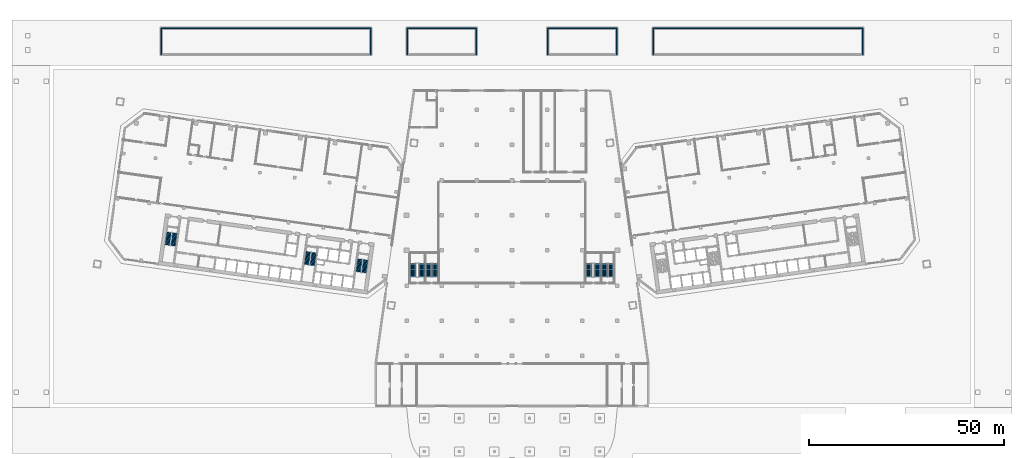
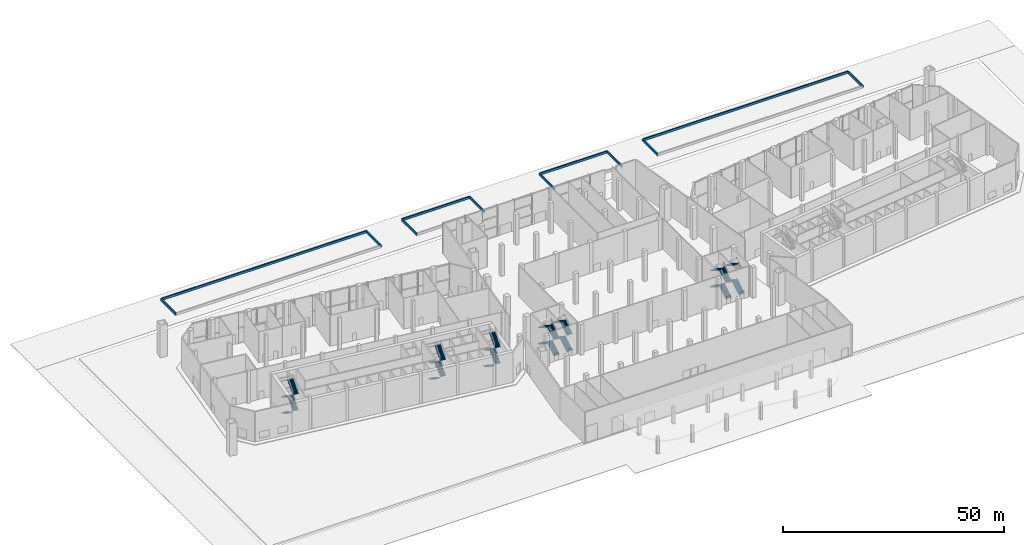
# One storey, part 29 of 34: 27 stair flights, 12 walls, 7 elements without a shape of their own.
"""IFC4 building model written with IfcOpenShell, lengths in metres."""

from ifc_helpers import new_model, si_unit, direction, frame, frame_2d, origin, place, context, subcontext, project, spatial, polyline, rectangle, outline, extrude, material, layer, layer_set, type_object, element, aggregate, save


model = new_model("IFC4")

# Units and contexts
model_context = context("Model", 3, precision=1e-05, world=origin(), true_north=direction((0.0, 1.0)))
body_context = subcontext(model_context, "Body", "Model", "MODEL_VIEW")
ifc_project = project(units=[si_unit("LENGTHUNIT", "METRE"), si_unit("AREAUNIT", "SQUARE_METRE"), si_unit("VOLUMEUNIT", "CUBIC_METRE"), si_unit("PLANEANGLEUNIT", "RADIAN"), si_unit("MASSUNIT", "GRAM", prefix="KILO")], contexts=[model_context])

# Site, building, storey
site_placement = place(None, origin())
site = spatial("IfcSite", under=ifc_project, at=site_placement, CompositionType="ELEMENT")
building_placement = place(site_placement, origin())
building = spatial("IfcBuilding", under=site, at=building_placement, Name="Mirante Cascada Hotel Towers", CompositionType="ELEMENT")
storey_placement = place(building_placement, origin())
storey = spatial("IfcBuildingStorey", under=building, at=storey_placement, Name="L00", CompositionType="ELEMENT", Elevation=0.0)

# Walls
ifc_material_1 = material(Name="Concrete C25/30", Category="concrete")
ifc_layer = layer(ifc_material_1, 0.3)
ifc_layer_set = layer_set([ifc_layer], Name="Planter kerb wall 300 concrete C25/30")
wall_type = type_object("IfcWallType", Name="Planter kerb wall 300 concrete C25/30", PredefinedType="PARAPET", material=ifc_layer_set)
wall_1_placement = place(storey_placement, frame((-36.15, 41.15, 0.0), z_axis=(0.0, 0.0, 1.0), x_axis=(0.0, 1.0, 0.0)))
element("IfcWall", 1, at=wall_1_placement, inside=storey, type_object=wall_type, Name="PLANTER garden court bed 1", PredefinedType="PARAPET", context=body_context, shape_type="SweptSolid", body=[
    extrude(rectangle(XDim=6.7, YDim=0.3, at=frame_2d((3.35, 0.0))), origin(), (0.0, 0.0, 1.0), 0.6),
])
wall_2_placement = place(storey_placement, frame((-36.15, 47.85, 0.0), z_axis=(0.0, 0.0, 1.0), x_axis=(-1.0, 0.0, 0.0)))
element("IfcWall", 2, at=wall_2_placement, inside=storey, type_object=wall_type, Name="PLANTER garden court bed 1", PredefinedType="PARAPET", context=body_context, shape_type="SweptSolid", body=[
    extrude(rectangle(XDim=53.7, YDim=0.3, at=frame_2d((26.85, 0.0))), origin(), (0.0, 0.0, 1.0), 0.6),
])
for number, where, z_axis, x_axis, name in (
    (3, (-89.85, 47.85, 0.0), (0.0, 0.0, 1.0), (0.0, -1.0, 0.0), "PLANTER garden court bed 1"),
    (4, (-9.15, 41.15, 0.0), (0.0, 0.0, 1.0), (0.0, 1.0, 0.0), "PLANTER garden court bed 2"),
):
    element("IfcWall", number, at=place(storey_placement, frame(where, z_axis=z_axis, x_axis=x_axis)), inside=storey, type_object=wall_type, Name=name, PredefinedType="PARAPET", context=body_context, shape_type="SweptSolid", body=[
        extrude(rectangle(XDim=6.7, YDim=0.3, at=frame_2d((3.35, 0.0))), origin(), (0.0, 0.0, 1.0), 0.6),
    ])
wall_3_placement = place(storey_placement, frame((-9.15, 47.85, 0.0), z_axis=(0.0, 0.0, 1.0), x_axis=(-1.0, 0.0, 0.0)))
element("IfcWall", 5, at=wall_3_placement, inside=storey, type_object=wall_type, Name="PLANTER garden court bed 2", PredefinedType="PARAPET", context=body_context, shape_type="SweptSolid", body=[
    extrude(rectangle(XDim=17.7, YDim=0.3, at=frame_2d((8.85, 0.0))), origin(), (0.0, 0.0, 1.0), 0.6),
])
for number, where, z_axis, x_axis, name in (
    (6, (-26.85, 47.85, 0.0), (0.0, 0.0, 1.0), (0.0, -1.0, 0.0), "PLANTER garden court bed 2"),
    (7, (26.85, 41.15, 0.0), (0.0, 0.0, 1.0), (0.0, 1.0, 0.0), "PLANTER garden court bed 3"),
):
    element("IfcWall", number, at=place(storey_placement, frame(where, z_axis=z_axis, x_axis=x_axis)), inside=storey, type_object=wall_type, Name=name, PredefinedType="PARAPET", context=body_context, shape_type="SweptSolid", body=[
        extrude(rectangle(XDim=6.7, YDim=0.3, at=frame_2d((3.35, 0.0))), origin(), (0.0, 0.0, 1.0), 0.6),
    ])
wall_4_placement = place(storey_placement, frame((26.85, 47.85, 0.0), z_axis=(0.0, 0.0, 1.0), x_axis=(-1.0, 0.0, 0.0)))
element("IfcWall", 8, at=wall_4_placement, inside=storey, type_object=wall_type, Name="PLANTER garden court bed 3", PredefinedType="PARAPET", context=body_context, shape_type="SweptSolid", body=[
    extrude(rectangle(XDim=17.7, YDim=0.3, at=frame_2d((8.85, 0.0))), origin(), (0.0, 0.0, 1.0), 0.6),
])
for number, where, z_axis, x_axis, name in (
    (9, (9.15, 47.85, 0.0), (0.0, 0.0, 1.0), (0.0, -1.0, 0.0), "PLANTER garden court bed 3"),
    (10, (89.85, 41.15, 0.0), (0.0, 0.0, 1.0), (0.0, 1.0, 0.0), "PLANTER garden court bed 4"),
):
    element("IfcWall", number, at=place(storey_placement, frame(where, z_axis=z_axis, x_axis=x_axis)), inside=storey, type_object=wall_type, Name=name, PredefinedType="PARAPET", context=body_context, shape_type="SweptSolid", body=[
        extrude(rectangle(XDim=6.7, YDim=0.3, at=frame_2d((3.35, 0.0))), origin(), (0.0, 0.0, 1.0), 0.6),
    ])
wall_5_placement = place(storey_placement, frame((89.85, 47.85, 0.0), z_axis=(0.0, 0.0, 1.0), x_axis=(-1.0, 0.0, 0.0)))
element("IfcWall", 11, at=wall_5_placement, inside=storey, type_object=wall_type, Name="PLANTER garden court bed 4", PredefinedType="PARAPET", context=body_context, shape_type="SweptSolid", body=[
    extrude(rectangle(XDim=53.7, YDim=0.3, at=frame_2d((26.85, 0.0))), origin(), (0.0, 0.0, 1.0), 0.6),
])
wall_6_placement = place(storey_placement, frame((36.15, 47.85, 0.0), z_axis=(0.0, 0.0, 1.0), x_axis=(0.0, -1.0, 0.0)))
element("IfcWall", 12, at=wall_6_placement, inside=storey, type_object=wall_type, Name="PLANTER garden court bed 4", PredefinedType="PARAPET", context=body_context, shape_type="SweptSolid", body=[
    extrude(rectangle(XDim=6.7, YDim=0.3, at=frame_2d((3.35, 0.0))), origin(), (0.0, 0.0, 1.0), 0.6),
])

# Stair, stair flights
ifc_material_2 = material(Name="Concrete C35/45", Category="concrete")
stair_type_1 = type_object("IfcStairType", Name="Exit stair half-turn 1350 concrete C35/45", PredefinedType="HALF_TURN_STAIR", material=ifc_material_2)
stair_1_placement = place(storey_placement, origin())
stair_1 = element("IfcStair", 13, at=stair_1_placement, inside=storey, type_object=stair_type_1, Name="L00 Exit stair A", PredefinedType="HALF_TURN_STAIR")
ifc_material_3 = material(Name="Concrete C35/45", Category="concrete")
stair_flight_type_1 = type_object("IfcStairFlightType", Name="Exit stair flight 1350 concrete C35/45", PredefinedType="STRAIGHT", material=ifc_material_3)
stair_flight_1_placement = place(storey_placement, frame((-38.9417, -11.195, 0.0), z_axis=(0.0, 0.0, 1.0), x_axis=(-0.1391731, -0.9902681, 0.0)))
stair_flight_1 = element("IfcStairFlight", 14, at=stair_flight_1_placement, type_object=stair_flight_type_1, Name="ST1-A flight 1", NumberOfRisers=13, NumberOfTreads=12, PredefinedType="STRAIGHT", RiserHeight=0.173076923, TreadLength=0.28, context=body_context, shape_type="SweptSolid", body=[
    extrude(outline(polyline([(0.0, 0.0), (0.0, 0.1731), (0.28, 0.1731), (0.28, 0.3462), (0.56, 0.3462), (0.56, 0.5192), (0.84, 0.5192), (0.84, 0.6923), (1.12, 0.6923), (1.12, 0.8654), (1.4, 0.8654), (1.4, 1.0385), (1.68, 1.0385), (1.68, 1.2115), (1.96, 1.2115), (1.96, 1.3846), (2.24, 1.3846), (2.24, 1.5577), (2.52, 1.5577), (2.52, 1.7308), (2.8, 1.7308), (2.8, 1.9038), (3.08, 1.9038), (3.08, 2.0769), (3.36, 2.0769), (3.36, 2.25), (3.36, 1.9006), (0.2853, 0.0), (0.0, 0.0)])), frame((0.0, 0.675, 0.0), z_axis=(0.0, -1.0, 0.0), x_axis=(1.0, 0.0, 0.0)), (0.0, 0.0, 1.0), 1.35),
])
stair_flight_2_placement = place(storey_placement, frame((-37.9239, -14.7311, 2.25), z_axis=(0.0, 0.0, 1.0), x_axis=(0.1391731, 0.9902681, 0.0)))
stair_flight_2 = element("IfcStairFlight", 15, at=stair_flight_2_placement, type_object=stair_flight_type_1, Name="ST1-A flight 2", NumberOfRisers=13, NumberOfTreads=12, PredefinedType="STRAIGHT", RiserHeight=0.173076923, TreadLength=0.28, context=body_context, shape_type="SweptSolid", body=[
    extrude(outline(polyline([(0.0, 0.0), (0.0, 0.1731), (0.28, 0.1731), (0.28, 0.3462), (0.56, 0.3462), (0.56, 0.5192), (0.84, 0.5192), (0.84, 0.6923), (1.12, 0.6923), (1.12, 0.8654), (1.4, 0.8654), (1.4, 1.0385), (1.68, 1.0385), (1.68, 1.2115), (1.96, 1.2115), (1.96, 1.3846), (2.24, 1.3846), (2.24, 1.5577), (2.52, 1.5577), (2.52, 1.7308), (2.8, 1.7308), (2.8, 1.9038), (3.08, 1.9038), (3.08, 2.0769), (3.36, 2.0769), (3.36, 2.25), (3.36, 1.9006), (0.2853, 0.0), (0.0, 0.0)])), frame((0.0, 0.675, 0.0), z_axis=(0.0, -1.0, 0.0), x_axis=(1.0, 0.0, 0.0)), (0.0, 0.0, 1.0), 1.35),
])
stair_flight_3_placement = place(storey_placement, frame((-38.9417, -11.195, 4.5), z_axis=(0.0, 0.0, 1.0), x_axis=(-0.1391731, -0.9902681, 0.0)))
stair_flight_3 = element("IfcStairFlight", 16, at=stair_flight_3_placement, type_object=stair_flight_type_1, Name="ST1-A flight 3", NumberOfRisers=13, NumberOfTreads=12, PredefinedType="STRAIGHT", RiserHeight=0.173076923, TreadLength=0.28, context=body_context, shape_type="SweptSolid", body=[
    extrude(outline(polyline([(0.0, 0.0), (0.0, 0.1731), (0.28, 0.1731), (0.28, 0.3462), (0.56, 0.3462), (0.56, 0.5192), (0.84, 0.5192), (0.84, 0.6923), (1.12, 0.6923), (1.12, 0.8654), (1.4, 0.8654), (1.4, 1.0385), (1.68, 1.0385), (1.68, 1.2115), (1.96, 1.2115), (1.96, 1.3846), (2.24, 1.3846), (2.24, 1.5577), (2.52, 1.5577), (2.52, 1.7308), (2.8, 1.7308), (2.8, 1.9038), (3.08, 1.9038), (3.08, 2.0769), (3.36, 2.0769), (3.36, 2.25), (3.36, 1.9006), (0.2853, 0.0), (0.0, 0.0)])), frame((0.0, 0.675, 0.0), z_axis=(0.0, -1.0, 0.0), x_axis=(1.0, 0.0, 0.0)), (0.0, 0.0, 1.0), 1.35),
])
stair_flight_4_placement = place(storey_placement, frame((-37.9239, -14.7311, 6.75), z_axis=(0.0, 0.0, 1.0), x_axis=(0.1391731, 0.9902681, 0.0)))
stair_flight_4 = element("IfcStairFlight", 17, at=stair_flight_4_placement, type_object=stair_flight_type_1, Name="ST1-A flight 4", NumberOfRisers=13, NumberOfTreads=12, PredefinedType="STRAIGHT", RiserHeight=0.173076923, TreadLength=0.28, context=body_context, shape_type="SweptSolid", body=[
    extrude(outline(polyline([(0.0, 0.0), (0.0, 0.1731), (0.28, 0.1731), (0.28, 0.3462), (0.56, 0.3462), (0.56, 0.5192), (0.84, 0.5192), (0.84, 0.6923), (1.12, 0.6923), (1.12, 0.8654), (1.4, 0.8654), (1.4, 1.0385), (1.68, 1.0385), (1.68, 1.2115), (1.96, 1.2115), (1.96, 1.3846), (2.24, 1.3846), (2.24, 1.5577), (2.52, 1.5577), (2.52, 1.7308), (2.8, 1.7308), (2.8, 1.9038), (3.08, 1.9038), (3.08, 2.0769), (3.36, 2.0769), (3.36, 2.25), (3.36, 1.9006), (0.2853, 0.0), (0.0, 0.0)])), frame((0.0, 0.675, 0.0), z_axis=(0.0, -1.0, 0.0), x_axis=(1.0, 0.0, 0.0)), (0.0, 0.0, 1.0), 1.35),
])
aggregate(stair_1, [stair_flight_1, stair_flight_2, stair_flight_3, stair_flight_4])

stair_2_placement = place(storey_placement, origin())
stair_2 = element("IfcStair", 18, at=stair_2_placement, inside=storey, type_object=stair_type_1, Name="L00 Exit stair B", PredefinedType="HALF_TURN_STAIR")
stair_flight_5_placement = place(storey_placement, frame((-52.1618, -9.3371, 0.0), z_axis=(0.0, 0.0, 1.0), x_axis=(-0.1391731, -0.9902681, 0.0)))
stair_flight_5 = element("IfcStairFlight", 19, at=stair_flight_5_placement, type_object=stair_flight_type_1, Name="ST1-B flight 1", NumberOfRisers=13, NumberOfTreads=12, PredefinedType="STRAIGHT", RiserHeight=0.173076923, TreadLength=0.28, context=body_context, shape_type="SweptSolid", body=[
    extrude(outline(polyline([(0.0, 0.0), (0.0, 0.1731), (0.28, 0.1731), (0.28, 0.3462), (0.56, 0.3462), (0.56, 0.5192), (0.84, 0.5192), (0.84, 0.6923), (1.12, 0.6923), (1.12, 0.8654), (1.4, 0.8654), (1.4, 1.0385), (1.68, 1.0385), (1.68, 1.2115), (1.96, 1.2115), (1.96, 1.3846), (2.24, 1.3846), (2.24, 1.5577), (2.52, 1.5577), (2.52, 1.7308), (2.8, 1.7308), (2.8, 1.9038), (3.08, 1.9038), (3.08, 2.0769), (3.36, 2.0769), (3.36, 2.25), (3.36, 1.9006), (0.2853, 0.0), (0.0, 0.0)])), frame((0.0, 0.675, 0.0), z_axis=(0.0, -1.0, 0.0), x_axis=(1.0, 0.0, 0.0)), (0.0, 0.0, 1.0), 1.35),
])
stair_flight_6_placement = place(storey_placement, frame((-51.144, -12.8731, 2.25), z_axis=(0.0, 0.0, 1.0), x_axis=(0.1391731, 0.9902681, 0.0)))
stair_flight_6 = element("IfcStairFlight", 20, at=stair_flight_6_placement, type_object=stair_flight_type_1, Name="ST1-B flight 2", NumberOfRisers=13, NumberOfTreads=12, PredefinedType="STRAIGHT", RiserHeight=0.173076923, TreadLength=0.28, context=body_context, shape_type="SweptSolid", body=[
    extrude(outline(polyline([(0.0, 0.0), (0.0, 0.1731), (0.28, 0.1731), (0.28, 0.3462), (0.56, 0.3462), (0.56, 0.5192), (0.84, 0.5192), (0.84, 0.6923), (1.12, 0.6923), (1.12, 0.8654), (1.4, 0.8654), (1.4, 1.0385), (1.68, 1.0385), (1.68, 1.2115), (1.96, 1.2115), (1.96, 1.3846), (2.24, 1.3846), (2.24, 1.5577), (2.52, 1.5577), (2.52, 1.7308), (2.8, 1.7308), (2.8, 1.9038), (3.08, 1.9038), (3.08, 2.0769), (3.36, 2.0769), (3.36, 2.25), (3.36, 1.9006), (0.2853, 0.0), (0.0, 0.0)])), frame((0.0, 0.675, 0.0), z_axis=(0.0, -1.0, 0.0), x_axis=(1.0, 0.0, 0.0)), (0.0, 0.0, 1.0), 1.35),
])
stair_flight_7_placement = place(storey_placement, frame((-52.1618, -9.3371, 4.5), z_axis=(0.0, 0.0, 1.0), x_axis=(-0.1391731, -0.9902681, 0.0)))
stair_flight_7 = element("IfcStairFlight", 21, at=stair_flight_7_placement, type_object=stair_flight_type_1, Name="ST1-B flight 3", NumberOfRisers=13, NumberOfTreads=12, PredefinedType="STRAIGHT", RiserHeight=0.173076923, TreadLength=0.28, context=body_context, shape_type="SweptSolid", body=[
    extrude(outline(polyline([(0.0, 0.0), (0.0, 0.1731), (0.28, 0.1731), (0.28, 0.3462), (0.56, 0.3462), (0.56, 0.5192), (0.84, 0.5192), (0.84, 0.6923), (1.12, 0.6923), (1.12, 0.8654), (1.4, 0.8654), (1.4, 1.0385), (1.68, 1.0385), (1.68, 1.2115), (1.96, 1.2115), (1.96, 1.3846), (2.24, 1.3846), (2.24, 1.5577), (2.52, 1.5577), (2.52, 1.7308), (2.8, 1.7308), (2.8, 1.9038), (3.08, 1.9038), (3.08, 2.0769), (3.36, 2.0769), (3.36, 2.25), (3.36, 1.9006), (0.2853, 0.0), (0.0, 0.0)])), frame((0.0, 0.675, 0.0), z_axis=(0.0, -1.0, 0.0), x_axis=(1.0, 0.0, 0.0)), (0.0, 0.0, 1.0), 1.35),
])
stair_flight_8_placement = place(storey_placement, frame((-51.144, -12.8731, 6.75), z_axis=(0.0, 0.0, 1.0), x_axis=(0.1391731, 0.9902681, 0.0)))
stair_flight_8 = element("IfcStairFlight", 22, at=stair_flight_8_placement, type_object=stair_flight_type_1, Name="ST1-B flight 4", NumberOfRisers=13, NumberOfTreads=12, PredefinedType="STRAIGHT", RiserHeight=0.173076923, TreadLength=0.28, context=body_context, shape_type="SweptSolid", body=[
    extrude(outline(polyline([(0.0, 0.0), (0.0, 0.1731), (0.28, 0.1731), (0.28, 0.3462), (0.56, 0.3462), (0.56, 0.5192), (0.84, 0.5192), (0.84, 0.6923), (1.12, 0.6923), (1.12, 0.8654), (1.4, 0.8654), (1.4, 1.0385), (1.68, 1.0385), (1.68, 1.2115), (1.96, 1.2115), (1.96, 1.3846), (2.24, 1.3846), (2.24, 1.5577), (2.52, 1.5577), (2.52, 1.7308), (2.8, 1.7308), (2.8, 1.9038), (3.08, 1.9038), (3.08, 2.0769), (3.36, 2.0769), (3.36, 2.25), (3.36, 1.9006), (0.2853, 0.0), (0.0, 0.0)])), frame((0.0, 0.675, 0.0), z_axis=(0.0, -1.0, 0.0), x_axis=(1.0, 0.0, 0.0)), (0.0, 0.0, 1.0), 1.35),
])
aggregate(stair_2, [stair_flight_5, stair_flight_6, stair_flight_7, stair_flight_8])

stair_3_placement = place(storey_placement, origin())
stair_3 = element("IfcStair", 23, at=stair_3_placement, inside=storey, type_object=stair_type_1, Name="L00 Exit stair C", PredefinedType="HALF_TURN_STAIR")
stair_flight_9_placement = place(storey_placement, frame((-87.8115, -4.3268, 0.0), z_axis=(0.0, 0.0, 1.0), x_axis=(-0.1391731, -0.9902681, 0.0)))
stair_flight_9 = element("IfcStairFlight", 24, at=stair_flight_9_placement, type_object=stair_flight_type_1, Name="ST1-C flight 1", NumberOfRisers=13, NumberOfTreads=12, PredefinedType="STRAIGHT", RiserHeight=0.173076923, TreadLength=0.28, context=body_context, shape_type="SweptSolid", body=[
    extrude(outline(polyline([(0.0, 0.0), (0.0, 0.1731), (0.28, 0.1731), (0.28, 0.3462), (0.56, 0.3462), (0.56, 0.5192), (0.84, 0.5192), (0.84, 0.6923), (1.12, 0.6923), (1.12, 0.8654), (1.4, 0.8654), (1.4, 1.0385), (1.68, 1.0385), (1.68, 1.2115), (1.96, 1.2115), (1.96, 1.3846), (2.24, 1.3846), (2.24, 1.5577), (2.52, 1.5577), (2.52, 1.7308), (2.8, 1.7308), (2.8, 1.9038), (3.08, 1.9038), (3.08, 2.0769), (3.36, 2.0769), (3.36, 2.25), (3.36, 1.9006), (0.2853, 0.0), (0.0, 0.0)])), frame((0.0, 0.675, 0.0), z_axis=(0.0, -1.0, 0.0), x_axis=(1.0, 0.0, 0.0)), (0.0, 0.0, 1.0), 1.35),
])
stair_flight_10_placement = place(storey_placement, frame((-86.7937, -7.8629, 2.25), z_axis=(0.0, 0.0, 1.0), x_axis=(0.1391731, 0.9902681, 0.0)))
stair_flight_10 = element("IfcStairFlight", 25, at=stair_flight_10_placement, type_object=stair_flight_type_1, Name="ST1-C flight 2", NumberOfRisers=13, NumberOfTreads=12, PredefinedType="STRAIGHT", RiserHeight=0.173076923, TreadLength=0.28, context=body_context, shape_type="SweptSolid", body=[
    extrude(outline(polyline([(0.0, 0.0), (0.0, 0.1731), (0.28, 0.1731), (0.28, 0.3462), (0.56, 0.3462), (0.56, 0.5192), (0.84, 0.5192), (0.84, 0.6923), (1.12, 0.6923), (1.12, 0.8654), (1.4, 0.8654), (1.4, 1.0385), (1.68, 1.0385), (1.68, 1.2115), (1.96, 1.2115), (1.96, 1.3846), (2.24, 1.3846), (2.24, 1.5577), (2.52, 1.5577), (2.52, 1.7308), (2.8, 1.7308), (2.8, 1.9038), (3.08, 1.9038), (3.08, 2.0769), (3.36, 2.0769), (3.36, 2.25), (3.36, 1.9006), (0.2853, 0.0), (0.0, 0.0)])), frame((0.0, 0.675, 0.0), z_axis=(0.0, -1.0, 0.0), x_axis=(1.0, 0.0, 0.0)), (0.0, 0.0, 1.0), 1.35),
])
stair_flight_11_placement = place(storey_placement, frame((-87.8115, -4.3268, 4.5), z_axis=(0.0, 0.0, 1.0), x_axis=(-0.1391731, -0.9902681, 0.0)))
stair_flight_11 = element("IfcStairFlight", 26, at=stair_flight_11_placement, type_object=stair_flight_type_1, Name="ST1-C flight 3", NumberOfRisers=13, NumberOfTreads=12, PredefinedType="STRAIGHT", RiserHeight=0.173076923, TreadLength=0.28, context=body_context, shape_type="SweptSolid", body=[
    extrude(outline(polyline([(0.0, 0.0), (0.0, 0.1731), (0.28, 0.1731), (0.28, 0.3462), (0.56, 0.3462), (0.56, 0.5192), (0.84, 0.5192), (0.84, 0.6923), (1.12, 0.6923), (1.12, 0.8654), (1.4, 0.8654), (1.4, 1.0385), (1.68, 1.0385), (1.68, 1.2115), (1.96, 1.2115), (1.96, 1.3846), (2.24, 1.3846), (2.24, 1.5577), (2.52, 1.5577), (2.52, 1.7308), (2.8, 1.7308), (2.8, 1.9038), (3.08, 1.9038), (3.08, 2.0769), (3.36, 2.0769), (3.36, 2.25), (3.36, 1.9006), (0.2853, 0.0), (0.0, 0.0)])), frame((0.0, 0.675, 0.0), z_axis=(0.0, -1.0, 0.0), x_axis=(1.0, 0.0, 0.0)), (0.0, 0.0, 1.0), 1.35),
])
stair_flight_12_placement = place(storey_placement, frame((-86.7937, -7.8629, 6.75), z_axis=(0.0, 0.0, 1.0), x_axis=(0.1391731, 0.9902681, 0.0)))
stair_flight_12 = element("IfcStairFlight", 27, at=stair_flight_12_placement, type_object=stair_flight_type_1, Name="ST1-C flight 4", NumberOfRisers=13, NumberOfTreads=12, PredefinedType="STRAIGHT", RiserHeight=0.173076923, TreadLength=0.28, context=body_context, shape_type="SweptSolid", body=[
    extrude(outline(polyline([(0.0, 0.0), (0.0, 0.1731), (0.28, 0.1731), (0.28, 0.3462), (0.56, 0.3462), (0.56, 0.5192), (0.84, 0.5192), (0.84, 0.6923), (1.12, 0.6923), (1.12, 0.8654), (1.4, 0.8654), (1.4, 1.0385), (1.68, 1.0385), (1.68, 1.2115), (1.96, 1.2115), (1.96, 1.3846), (2.24, 1.3846), (2.24, 1.5577), (2.52, 1.5577), (2.52, 1.7308), (2.8, 1.7308), (2.8, 1.9038), (3.08, 1.9038), (3.08, 2.0769), (3.36, 2.0769), (3.36, 2.25), (3.36, 1.9006), (0.2853, 0.0), (0.0, 0.0)])), frame((0.0, 0.675, 0.0), z_axis=(0.0, -1.0, 0.0), x_axis=(1.0, 0.0, 0.0)), (0.0, 0.0, 1.0), 1.35),
])
aggregate(stair_3, [stair_flight_9, stair_flight_10, stair_flight_11, stair_flight_12])

ifc_material_4 = material(Name="Concrete C35/45", Category="concrete")
stair_type_2 = type_object("IfcStairType", Name="Podium exit stair half-turn 1500 concrete C35/45", PredefinedType="HALF_TURN_STAIR", material=ifc_material_4)
stair_4_placement = place(storey_placement, origin())
stair_4 = element("IfcStair", 28, at=stair_4_placement, inside=storey, type_object=stair_type_2, Name="L00 Podium exit stair 3", PredefinedType="HALF_TURN_STAIR")
ifc_material_5 = material(Name="Concrete C35/45", Category="concrete")
stair_flight_type_2 = type_object("IfcStairFlightType", Name="Podium exit stair flight 1500 concrete C35/45", PredefinedType="STRAIGHT", material=ifc_material_5)
stair_flight_13_placement = place(storey_placement, frame((-19.675, -15.775, 0.0), z_axis=(0.0, 0.0, 1.0), x_axis=(0.0, 1.0, 0.0)))
stair_flight_13 = element("IfcStairFlight", 29, at=stair_flight_13_placement, type_object=stair_flight_type_2, Name="PS1 flight 1", NumberOfRisers=13, NumberOfTreads=12, PredefinedType="STRAIGHT", RiserHeight=0.173076923, TreadLength=0.28, context=body_context, shape_type="SweptSolid", body=[
    extrude(outline(polyline([(0.0, 0.0), (0.0, 0.1731), (0.28, 0.1731), (0.28, 0.3462), (0.56, 0.3462), (0.56, 0.5192), (0.84, 0.5192), (0.84, 0.6923), (1.12, 0.6923), (1.12, 0.8654), (1.4, 0.8654), (1.4, 1.0385), (1.68, 1.0385), (1.68, 1.2115), (1.96, 1.2115), (1.96, 1.3846), (2.24, 1.3846), (2.24, 1.5577), (2.52, 1.5577), (2.52, 1.7308), (2.8, 1.7308), (2.8, 1.9038), (3.08, 1.9038), (3.08, 2.0769), (3.36, 2.0769), (3.36, 2.25), (3.36, 1.9006), (0.2853, 0.0), (0.0, 0.0)])), frame((0.0, 0.75, 0.0), z_axis=(0.0, -1.0, 0.0), x_axis=(1.0, 0.0, 0.0)), (0.0, 0.0, 1.0), 1.5),
])
stair_flight_14_placement = place(storey_placement, frame((-21.325, -12.415, 2.25), z_axis=(0.0, 0.0, 1.0), x_axis=(0.0, -1.0, 0.0)))
stair_flight_14 = element("IfcStairFlight", 30, at=stair_flight_14_placement, type_object=stair_flight_type_2, Name="PS1 flight 2", NumberOfRisers=13, NumberOfTreads=12, PredefinedType="STRAIGHT", RiserHeight=0.173076923, TreadLength=0.28, context=body_context, shape_type="SweptSolid", body=[
    extrude(outline(polyline([(0.0, 0.0), (0.0, 0.1731), (0.28, 0.1731), (0.28, 0.3462), (0.56, 0.3462), (0.56, 0.5192), (0.84, 0.5192), (0.84, 0.6923), (1.12, 0.6923), (1.12, 0.8654), (1.4, 0.8654), (1.4, 1.0385), (1.68, 1.0385), (1.68, 1.2115), (1.96, 1.2115), (1.96, 1.3846), (2.24, 1.3846), (2.24, 1.5577), (2.52, 1.5577), (2.52, 1.7308), (2.8, 1.7308), (2.8, 1.9038), (3.08, 1.9038), (3.08, 2.0769), (3.36, 2.0769), (3.36, 2.25), (3.36, 1.9006), (0.2853, 0.0), (0.0, 0.0)])), frame((0.0, 0.75, 0.0), z_axis=(0.0, -1.0, 0.0), x_axis=(1.0, 0.0, 0.0)), (0.0, 0.0, 1.0), 1.5),
])
stair_flight_15_placement = place(storey_placement, frame((-19.675, -15.775, 4.5), z_axis=(0.0, 0.0, 1.0), x_axis=(0.0, 1.0, 0.0)))
stair_flight_15 = element("IfcStairFlight", 31, at=stair_flight_15_placement, type_object=stair_flight_type_2, Name="PS1 flight 3", NumberOfRisers=13, NumberOfTreads=12, PredefinedType="STRAIGHT", RiserHeight=0.173076923, TreadLength=0.28, context=body_context, shape_type="SweptSolid", body=[
    extrude(outline(polyline([(0.0, 0.0), (0.0, 0.1731), (0.28, 0.1731), (0.28, 0.3462), (0.56, 0.3462), (0.56, 0.5192), (0.84, 0.5192), (0.84, 0.6923), (1.12, 0.6923), (1.12, 0.8654), (1.4, 0.8654), (1.4, 1.0385), (1.68, 1.0385), (1.68, 1.2115), (1.96, 1.2115), (1.96, 1.3846), (2.24, 1.3846), (2.24, 1.5577), (2.52, 1.5577), (2.52, 1.7308), (2.8, 1.7308), (2.8, 1.9038), (3.08, 1.9038), (3.08, 2.0769), (3.36, 2.0769), (3.36, 2.25), (3.36, 1.9006), (0.2853, 0.0), (0.0, 0.0)])), frame((0.0, 0.75, 0.0), z_axis=(0.0, -1.0, 0.0), x_axis=(1.0, 0.0, 0.0)), (0.0, 0.0, 1.0), 1.5),
])
stair_flight_16_placement = place(storey_placement, frame((-21.325, -12.415, 6.75), z_axis=(0.0, 0.0, 1.0), x_axis=(0.0, -1.0, 0.0)))
stair_flight_16 = element("IfcStairFlight", 32, at=stair_flight_16_placement, type_object=stair_flight_type_2, Name="PS1 flight 4", NumberOfRisers=13, NumberOfTreads=12, PredefinedType="STRAIGHT", RiserHeight=0.173076923, TreadLength=0.28, context=body_context, shape_type="SweptSolid", body=[
    extrude(outline(polyline([(0.0, 0.0), (0.0, 0.1731), (0.28, 0.1731), (0.28, 0.3462), (0.56, 0.3462), (0.56, 0.5192), (0.84, 0.5192), (0.84, 0.6923), (1.12, 0.6923), (1.12, 0.8654), (1.4, 0.8654), (1.4, 1.0385), (1.68, 1.0385), (1.68, 1.2115), (1.96, 1.2115), (1.96, 1.3846), (2.24, 1.3846), (2.24, 1.5577), (2.52, 1.5577), (2.52, 1.7308), (2.8, 1.7308), (2.8, 1.9038), (3.08, 1.9038), (3.08, 2.0769), (3.36, 2.0769), (3.36, 2.25), (3.36, 1.9006), (0.2853, 0.0), (0.0, 0.0)])), frame((0.0, 0.75, 0.0), z_axis=(0.0, -1.0, 0.0), x_axis=(1.0, 0.0, 0.0)), (0.0, 0.0, 1.0), 1.5),
])
aggregate(stair_4, [stair_flight_13, stair_flight_14, stair_flight_15, stair_flight_16])

stair_5_placement = place(storey_placement, origin())
stair_5 = element("IfcStair", 33, at=stair_5_placement, inside=storey, type_object=stair_type_2, Name="L00 Podium exit stair 5", PredefinedType="HALF_TURN_STAIR")
stair_flight_17_placement = place(storey_placement, frame((-23.075, -15.775, 0.0), z_axis=(0.0, 0.0, 1.0), x_axis=(0.0, 1.0, 0.0)))
stair_flight_17 = element("IfcStairFlight", 34, at=stair_flight_17_placement, type_object=stair_flight_type_2, Name="PS3 flight 1", NumberOfRisers=13, NumberOfTreads=12, PredefinedType="STRAIGHT", RiserHeight=0.173076923, TreadLength=0.28, context=body_context, shape_type="SweptSolid", body=[
    extrude(outline(polyline([(0.0, 0.0), (0.0, 0.1731), (0.28, 0.1731), (0.28, 0.3462), (0.56, 0.3462), (0.56, 0.5192), (0.84, 0.5192), (0.84, 0.6923), (1.12, 0.6923), (1.12, 0.8654), (1.4, 0.8654), (1.4, 1.0385), (1.68, 1.0385), (1.68, 1.2115), (1.96, 1.2115), (1.96, 1.3846), (2.24, 1.3846), (2.24, 1.5577), (2.52, 1.5577), (2.52, 1.7308), (2.8, 1.7308), (2.8, 1.9038), (3.08, 1.9038), (3.08, 2.0769), (3.36, 2.0769), (3.36, 2.25), (3.36, 1.9006), (0.2853, 0.0), (0.0, 0.0)])), frame((0.0, 0.75, 0.0), z_axis=(0.0, -1.0, 0.0), x_axis=(1.0, 0.0, 0.0)), (0.0, 0.0, 1.0), 1.5),
])
stair_flight_18_placement = place(storey_placement, frame((-25.325, -12.415, 2.25), z_axis=(0.0, 0.0, 1.0), x_axis=(0.0, -1.0, 0.0)))
stair_flight_18 = element("IfcStairFlight", 35, at=stair_flight_18_placement, type_object=stair_flight_type_2, Name="PS3 flight 2", NumberOfRisers=13, NumberOfTreads=12, PredefinedType="STRAIGHT", RiserHeight=0.173076923, TreadLength=0.28, context=body_context, shape_type="SweptSolid", body=[
    extrude(outline(polyline([(0.0, 0.0), (0.0, 0.1731), (0.28, 0.1731), (0.28, 0.3462), (0.56, 0.3462), (0.56, 0.5192), (0.84, 0.5192), (0.84, 0.6923), (1.12, 0.6923), (1.12, 0.8654), (1.4, 0.8654), (1.4, 1.0385), (1.68, 1.0385), (1.68, 1.2115), (1.96, 1.2115), (1.96, 1.3846), (2.24, 1.3846), (2.24, 1.5577), (2.52, 1.5577), (2.52, 1.7308), (2.8, 1.7308), (2.8, 1.9038), (3.08, 1.9038), (3.08, 2.0769), (3.36, 2.0769), (3.36, 2.25), (3.36, 1.9006), (0.2853, 0.0), (0.0, 0.0)])), frame((0.0, 0.75, 0.0), z_axis=(0.0, -1.0, 0.0), x_axis=(1.0, 0.0, 0.0)), (0.0, 0.0, 1.0), 1.5),
])
stair_flight_19_placement = place(storey_placement, frame((-23.075, -15.775, 4.5), z_axis=(0.0, 0.0, 1.0), x_axis=(0.0, 1.0, 0.0)))
stair_flight_19 = element("IfcStairFlight", 36, at=stair_flight_19_placement, type_object=stair_flight_type_2, Name="PS3 flight 3", NumberOfRisers=13, NumberOfTreads=12, PredefinedType="STRAIGHT", RiserHeight=0.173076923, TreadLength=0.28, context=body_context, shape_type="SweptSolid", body=[
    extrude(outline(polyline([(0.0, 0.0), (0.0, 0.1731), (0.28, 0.1731), (0.28, 0.3462), (0.56, 0.3462), (0.56, 0.5192), (0.84, 0.5192), (0.84, 0.6923), (1.12, 0.6923), (1.12, 0.8654), (1.4, 0.8654), (1.4, 1.0385), (1.68, 1.0385), (1.68, 1.2115), (1.96, 1.2115), (1.96, 1.3846), (2.24, 1.3846), (2.24, 1.5577), (2.52, 1.5577), (2.52, 1.7308), (2.8, 1.7308), (2.8, 1.9038), (3.08, 1.9038), (3.08, 2.0769), (3.36, 2.0769), (3.36, 2.25), (3.36, 1.9006), (0.2853, 0.0), (0.0, 0.0)])), frame((0.0, 0.75, 0.0), z_axis=(0.0, -1.0, 0.0), x_axis=(1.0, 0.0, 0.0)), (0.0, 0.0, 1.0), 1.5),
])
stair_flight_20_placement = place(storey_placement, frame((-25.325, -12.415, 6.75), z_axis=(0.0, 0.0, 1.0), x_axis=(0.0, -1.0, 0.0)))
stair_flight_20 = element("IfcStairFlight", 37, at=stair_flight_20_placement, type_object=stair_flight_type_2, Name="PS3 flight 4", NumberOfRisers=13, NumberOfTreads=12, PredefinedType="STRAIGHT", RiserHeight=0.173076923, TreadLength=0.28, context=body_context, shape_type="SweptSolid", body=[
    extrude(outline(polyline([(0.0, 0.0), (0.0, 0.1731), (0.28, 0.1731), (0.28, 0.3462), (0.56, 0.3462), (0.56, 0.5192), (0.84, 0.5192), (0.84, 0.6923), (1.12, 0.6923), (1.12, 0.8654), (1.4, 0.8654), (1.4, 1.0385), (1.68, 1.0385), (1.68, 1.2115), (1.96, 1.2115), (1.96, 1.3846), (2.24, 1.3846), (2.24, 1.5577), (2.52, 1.5577), (2.52, 1.7308), (2.8, 1.7308), (2.8, 1.9038), (3.08, 1.9038), (3.08, 2.0769), (3.36, 2.0769), (3.36, 2.25), (3.36, 1.9006), (0.2853, 0.0), (0.0, 0.0)])), frame((0.0, 0.75, 0.0), z_axis=(0.0, -1.0, 0.0), x_axis=(1.0, 0.0, 0.0)), (0.0, 0.0, 1.0), 1.5),
])
aggregate(stair_5, [stair_flight_17, stair_flight_18, stair_flight_19, stair_flight_20])

stair_6_placement = place(storey_placement, origin())
stair_6 = element("IfcStair", 38, at=stair_6_placement, inside=storey, type_object=stair_type_2, Name="L00 Podium exit stair 4", PredefinedType="HALF_TURN_STAIR")
stair_flight_21_placement = place(storey_placement, frame((25.325, -15.775, 0.0), z_axis=(0.0, 0.0, 1.0), x_axis=(0.0, 1.0, 0.0)))
stair_flight_21 = element("IfcStairFlight", 39, at=stair_flight_21_placement, type_object=stair_flight_type_2, Name="PS2 flight 1", NumberOfRisers=13, NumberOfTreads=12, PredefinedType="STRAIGHT", RiserHeight=0.173076923, TreadLength=0.28, context=body_context, shape_type="SweptSolid", body=[
    extrude(outline(polyline([(0.0, 0.0), (0.0, 0.1731), (0.28, 0.1731), (0.28, 0.3462), (0.56, 0.3462), (0.56, 0.5192), (0.84, 0.5192), (0.84, 0.6923), (1.12, 0.6923), (1.12, 0.8654), (1.4, 0.8654), (1.4, 1.0385), (1.68, 1.0385), (1.68, 1.2115), (1.96, 1.2115), (1.96, 1.3846), (2.24, 1.3846), (2.24, 1.5577), (2.52, 1.5577), (2.52, 1.7308), (2.8, 1.7308), (2.8, 1.9038), (3.08, 1.9038), (3.08, 2.0769), (3.36, 2.0769), (3.36, 2.25), (3.36, 1.9006), (0.2853, 0.0), (0.0, 0.0)])), frame((0.0, 0.75, 0.0), z_axis=(0.0, -1.0, 0.0), x_axis=(1.0, 0.0, 0.0)), (0.0, 0.0, 1.0), 1.5),
])
stair_flight_22_placement = place(storey_placement, frame((23.675, -12.415, 2.25), z_axis=(0.0, 0.0, 1.0), x_axis=(0.0, -1.0, 0.0)))
stair_flight_22 = element("IfcStairFlight", 40, at=stair_flight_22_placement, type_object=stair_flight_type_2, Name="PS2 flight 2", NumberOfRisers=13, NumberOfTreads=12, PredefinedType="STRAIGHT", RiserHeight=0.173076923, TreadLength=0.28, context=body_context, shape_type="SweptSolid", body=[
    extrude(outline(polyline([(0.0, 0.0), (0.0, 0.1731), (0.28, 0.1731), (0.28, 0.3462), (0.56, 0.3462), (0.56, 0.5192), (0.84, 0.5192), (0.84, 0.6923), (1.12, 0.6923), (1.12, 0.8654), (1.4, 0.8654), (1.4, 1.0385), (1.68, 1.0385), (1.68, 1.2115), (1.96, 1.2115), (1.96, 1.3846), (2.24, 1.3846), (2.24, 1.5577), (2.52, 1.5577), (2.52, 1.7308), (2.8, 1.7308), (2.8, 1.9038), (3.08, 1.9038), (3.08, 2.0769), (3.36, 2.0769), (3.36, 2.25), (3.36, 1.9006), (0.2853, 0.0), (0.0, 0.0)])), frame((0.0, 0.75, 0.0), z_axis=(0.0, -1.0, 0.0), x_axis=(1.0, 0.0, 0.0)), (0.0, 0.0, 1.0), 1.5),
])
stair_flight_23_placement = place(storey_placement, frame((23.675, -12.415, 6.75), z_axis=(0.0, 0.0, 1.0), x_axis=(0.0, -1.0, 0.0)))
stair_flight_23 = element("IfcStairFlight", 41, at=stair_flight_23_placement, type_object=stair_flight_type_2, Name="PS2 flight 4", NumberOfRisers=13, NumberOfTreads=12, PredefinedType="STRAIGHT", RiserHeight=0.173076923, TreadLength=0.28, context=body_context, shape_type="SweptSolid", body=[
    extrude(outline(polyline([(0.0, 0.0), (0.0, 0.1731), (0.28, 0.1731), (0.28, 0.3462), (0.56, 0.3462), (0.56, 0.5192), (0.84, 0.5192), (0.84, 0.6923), (1.12, 0.6923), (1.12, 0.8654), (1.4, 0.8654), (1.4, 1.0385), (1.68, 1.0385), (1.68, 1.2115), (1.96, 1.2115), (1.96, 1.3846), (2.24, 1.3846), (2.24, 1.5577), (2.52, 1.5577), (2.52, 1.7308), (2.8, 1.7308), (2.8, 1.9038), (3.08, 1.9038), (3.08, 2.0769), (3.36, 2.0769), (3.36, 2.25), (3.36, 1.9006), (0.2853, 0.0), (0.0, 0.0)])), frame((0.0, 0.75, 0.0), z_axis=(0.0, -1.0, 0.0), x_axis=(1.0, 0.0, 0.0)), (0.0, 0.0, 1.0), 1.5),
])
aggregate(stair_6, [stair_flight_21, stair_flight_22, stair_flight_23])

stair_7_placement = place(storey_placement, origin())
stair_7 = element("IfcStair", 42, at=stair_7_placement, inside=storey, type_object=stair_type_2, Name="L00 Podium exit stair 6", PredefinedType="HALF_TURN_STAIR")
stair_flight_24_placement = place(storey_placement, frame((21.925, -15.775, 0.0), z_axis=(0.0, 0.0, 1.0), x_axis=(0.0, 1.0, 0.0)))
stair_flight_24 = element("IfcStairFlight", 43, at=stair_flight_24_placement, type_object=stair_flight_type_2, Name="PS4 flight 1", NumberOfRisers=13, NumberOfTreads=12, PredefinedType="STRAIGHT", RiserHeight=0.173076923, TreadLength=0.28, context=body_context, shape_type="SweptSolid", body=[
    extrude(outline(polyline([(0.0, 0.0), (0.0, 0.1731), (0.28, 0.1731), (0.28, 0.3462), (0.56, 0.3462), (0.56, 0.5192), (0.84, 0.5192), (0.84, 0.6923), (1.12, 0.6923), (1.12, 0.8654), (1.4, 0.8654), (1.4, 1.0385), (1.68, 1.0385), (1.68, 1.2115), (1.96, 1.2115), (1.96, 1.3846), (2.24, 1.3846), (2.24, 1.5577), (2.52, 1.5577), (2.52, 1.7308), (2.8, 1.7308), (2.8, 1.9038), (3.08, 1.9038), (3.08, 2.0769), (3.36, 2.0769), (3.36, 2.25), (3.36, 1.9006), (0.2853, 0.0), (0.0, 0.0)])), frame((0.0, 0.75, 0.0), z_axis=(0.0, -1.0, 0.0), x_axis=(1.0, 0.0, 0.0)), (0.0, 0.0, 1.0), 1.5),
])
stair_flight_25_placement = place(storey_placement, frame((19.675, -12.415, 2.25), z_axis=(0.0, 0.0, 1.0), x_axis=(0.0, -1.0, 0.0)))
stair_flight_25 = element("IfcStairFlight", 44, at=stair_flight_25_placement, type_object=stair_flight_type_2, Name="PS4 flight 2", NumberOfRisers=13, NumberOfTreads=12, PredefinedType="STRAIGHT", RiserHeight=0.173076923, TreadLength=0.28, context=body_context, shape_type="SweptSolid", body=[
    extrude(outline(polyline([(0.0, 0.0), (0.0, 0.1731), (0.28, 0.1731), (0.28, 0.3462), (0.56, 0.3462), (0.56, 0.5192), (0.84, 0.5192), (0.84, 0.6923), (1.12, 0.6923), (1.12, 0.8654), (1.4, 0.8654), (1.4, 1.0385), (1.68, 1.0385), (1.68, 1.2115), (1.96, 1.2115), (1.96, 1.3846), (2.24, 1.3846), (2.24, 1.5577), (2.52, 1.5577), (2.52, 1.7308), (2.8, 1.7308), (2.8, 1.9038), (3.08, 1.9038), (3.08, 2.0769), (3.36, 2.0769), (3.36, 2.25), (3.36, 1.9006), (0.2853, 0.0), (0.0, 0.0)])), frame((0.0, 0.75, 0.0), z_axis=(0.0, -1.0, 0.0), x_axis=(1.0, 0.0, 0.0)), (0.0, 0.0, 1.0), 1.5),
])
stair_flight_26_placement = place(storey_placement, frame((21.925, -15.775, 4.5), z_axis=(0.0, 0.0, 1.0), x_axis=(0.0, 1.0, 0.0)))
stair_flight_26 = element("IfcStairFlight", 45, at=stair_flight_26_placement, type_object=stair_flight_type_2, Name="PS4 flight 3", NumberOfRisers=13, NumberOfTreads=12, PredefinedType="STRAIGHT", RiserHeight=0.173076923, TreadLength=0.28, context=body_context, shape_type="SweptSolid", body=[
    extrude(outline(polyline([(0.0, 0.0), (0.0, 0.1731), (0.28, 0.1731), (0.28, 0.3462), (0.56, 0.3462), (0.56, 0.5192), (0.84, 0.5192), (0.84, 0.6923), (1.12, 0.6923), (1.12, 0.8654), (1.4, 0.8654), (1.4, 1.0385), (1.68, 1.0385), (1.68, 1.2115), (1.96, 1.2115), (1.96, 1.3846), (2.24, 1.3846), (2.24, 1.5577), (2.52, 1.5577), (2.52, 1.7308), (2.8, 1.7308), (2.8, 1.9038), (3.08, 1.9038), (3.08, 2.0769), (3.36, 2.0769), (3.36, 2.25), (3.36, 1.9006), (0.2853, 0.0), (0.0, 0.0)])), frame((0.0, 0.75, 0.0), z_axis=(0.0, -1.0, 0.0), x_axis=(1.0, 0.0, 0.0)), (0.0, 0.0, 1.0), 1.5),
])
stair_flight_27_placement = place(storey_placement, frame((19.675, -12.415, 6.75), z_axis=(0.0, 0.0, 1.0), x_axis=(0.0, -1.0, 0.0)))
stair_flight_27 = element("IfcStairFlight", 46, at=stair_flight_27_placement, type_object=stair_flight_type_2, Name="PS4 flight 4", NumberOfRisers=13, NumberOfTreads=12, PredefinedType="STRAIGHT", RiserHeight=0.173076923, TreadLength=0.28, context=body_context, shape_type="SweptSolid", body=[
    extrude(outline(polyline([(0.0, 0.0), (0.0, 0.1731), (0.28, 0.1731), (0.28, 0.3462), (0.56, 0.3462), (0.56, 0.5192), (0.84, 0.5192), (0.84, 0.6923), (1.12, 0.6923), (1.12, 0.8654), (1.4, 0.8654), (1.4, 1.0385), (1.68, 1.0385), (1.68, 1.2115), (1.96, 1.2115), (1.96, 1.3846), (2.24, 1.3846), (2.24, 1.5577), (2.52, 1.5577), (2.52, 1.7308), (2.8, 1.7308), (2.8, 1.9038), (3.08, 1.9038), (3.08, 2.0769), (3.36, 2.0769), (3.36, 2.25), (3.36, 1.9006), (0.2853, 0.0), (0.0, 0.0)])), frame((0.0, 0.75, 0.0), z_axis=(0.0, -1.0, 0.0), x_axis=(1.0, 0.0, 0.0)), (0.0, 0.0, 1.0), 1.5),
])
aggregate(stair_7, [stair_flight_24, stair_flight_25, stair_flight_26, stair_flight_27])

save(model, "model.ifc")
